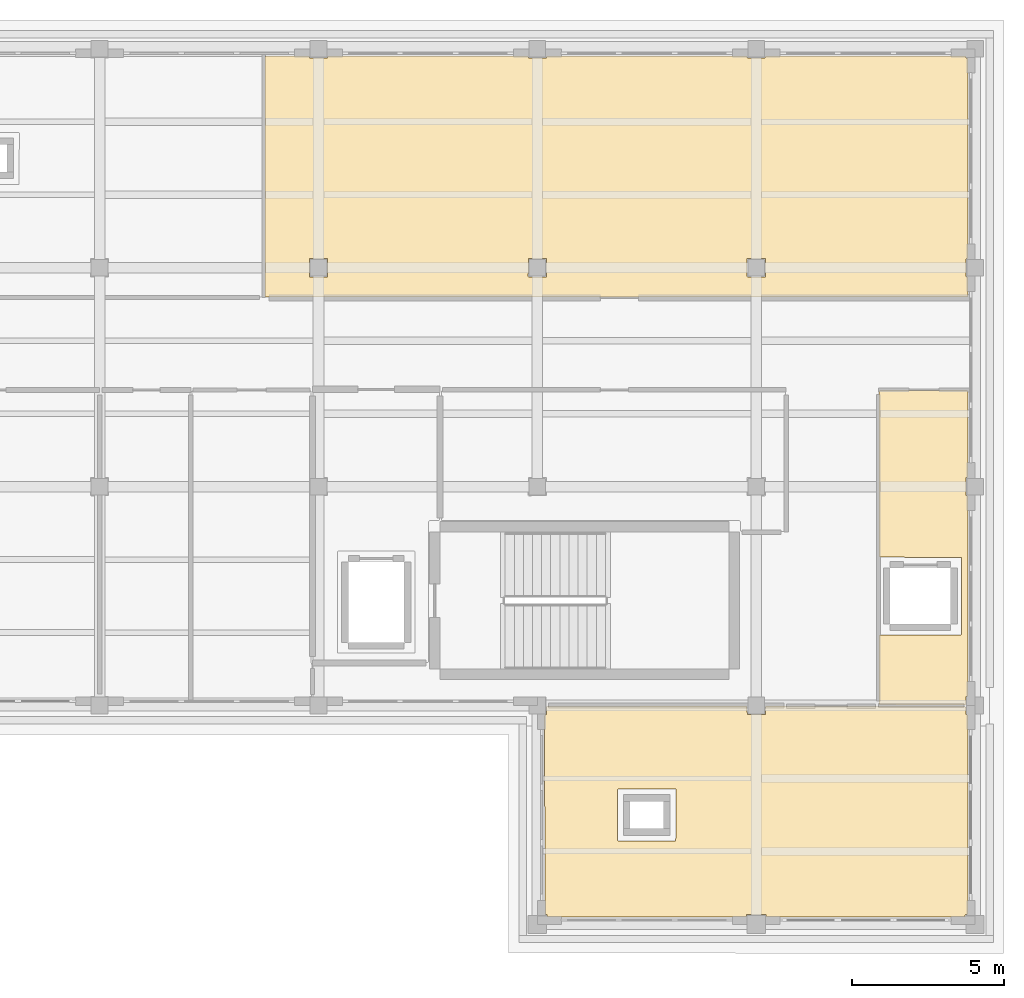
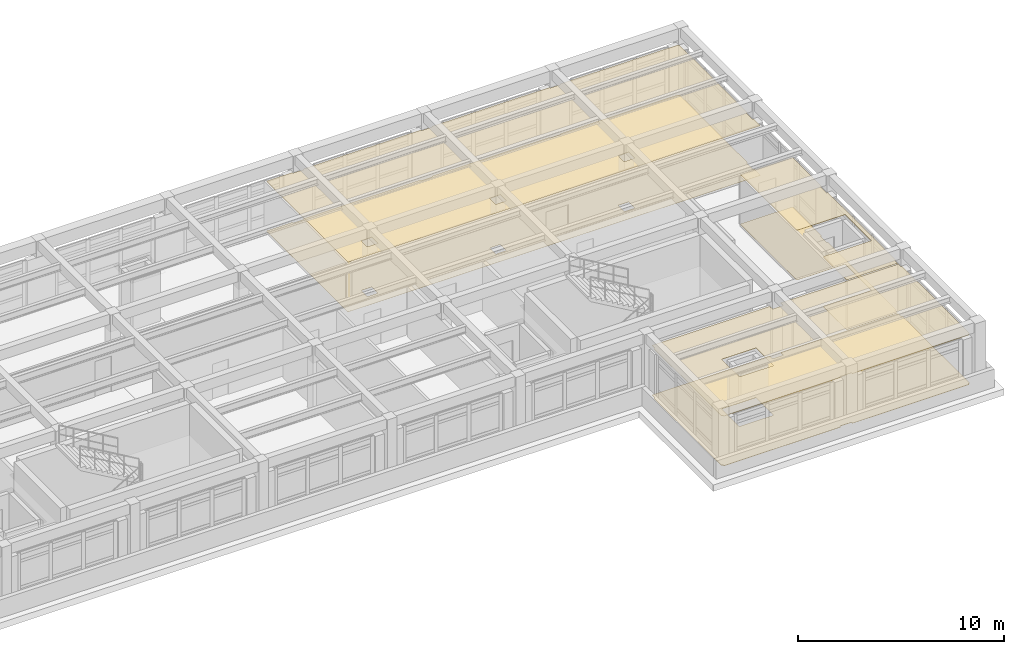
# One storey, part 21 of 21: 6 coverings.
"""IFC4 building model written with IfcOpenShell, lengths in metres."""

import ifcopenshell
import ifcopenshell.guid

model = None  # the IFC model being written
_history = None  # IfcOwnerHistory: only IFC2X3 demands one
_inside = {}  # id of a spatial element -> (the spatial element, [elements in it])
_under = {}  # id of a project, library or spatial element -> (it, [spatial elements below it])
_declared = {}  # id of a project -> (the project, [libraries it declares])
_typed = {}  # id of a type object -> (the type object, [elements of that type])
_made_of = {}  # id of a material, layer set ... -> (it, [elements and type objects made of it])


def new_model(schema):
    """Start an empty IFC model of exactly this schema.

    Asked for "IFC4X3", IfcOpenShell would pick the latest addendum, in which some entities
    have other attributes; the version numbers below select the first issue.
    IFC2X3 requires an IfcOwnerHistory on every rooted entity: one is made here for all.
    """
    global model, _history
    if schema == "IFC4X3":
        model = ifcopenshell.file(schema_version=(4, 3, 0, 0))
    else:
        model = ifcopenshell.file(schema=schema)
    _inside.clear()
    _under.clear()
    _declared.clear()
    _typed.clear()
    _made_of.clear()
    _history = None
    if model.schema == "IFC2X3":
        org = make("IfcOrganization", Name="unknown")
        user = make(
            "IfcPersonAndOrganization",
            ThePerson=make("IfcPerson", FamilyName="unknown"),
            TheOrganization=org,
        )
        app = make(
            "IfcApplication",
            ApplicationDeveloper=org,
            Version="unknown",
            ApplicationFullName="unknown",
            ApplicationIdentifier="unknown",
        )
        _history = make(
            "IfcOwnerHistory",
            OwningUser=user,
            OwningApplication=app,
            ChangeAction="ADDED",
            CreationDate=0,
        )
    return model


def make(cls, **values):
    """One entity of the class cls with the attributes given. An attribute that is None is left unset."""
    return model.create_entity(
        cls, **{name: value for name, value in values.items() if value is not None}
    )


def rooted(cls, **values):
    """An entity with a GlobalId (a new one), such as an element, a storey or a relation."""
    return make(cls, GlobalId=ifcopenshell.guid.new(), OwnerHistory=_history, **values)


def si_unit(unit_type, name, prefix=None):
    """IfcSIUnit, for example si_unit("LENGTHUNIT", "METRE", prefix="MILLI")."""
    return make("IfcSIUnit", UnitType=unit_type, Prefix=prefix, Name=name)


def assignment(units):
    """IfcUnitAssignment: the units of a project."""
    return None if units is None else make("IfcUnitAssignment", Units=units)


def point(xyz):
    """IfcCartesianPoint."""
    return None if xyz is None else make("IfcCartesianPoint", Coordinates=xyz)


def direction(xyz):
    """IfcDirection."""
    return None if xyz is None else make("IfcDirection", DirectionRatios=xyz)


def frame(location, z_axis=None, x_axis=None):
    """IfcAxis2Placement3D, a coordinate frame: its origin and axes. An axis left out is left unset."""
    return make(
        "IfcAxis2Placement3D",
        Location=point(location),
        Axis=direction(z_axis),
        RefDirection=direction(x_axis),
    )


def origin():
    """The frame at (0, 0, 0) with its axes left unset."""
    return frame((0.0, 0.0, 0.0))


def place(relative_to, where):
    """IfcLocalPlacement: puts the frame where relative to a parent placement (None: the world)."""
    return make(
        "IfcLocalPlacement", PlacementRelTo=relative_to, RelativePlacement=where
    )


def context(
    kind, dimensions, precision=None, world=None, true_north=None, identifier=None
):
    """IfcGeometricRepresentationContext, for example the 3D "Model" context."""
    return make(
        "IfcGeometricRepresentationContext",
        ContextIdentifier=identifier,
        ContextType=kind,
        CoordinateSpaceDimension=dimensions,
        Precision=precision,
        WorldCoordinateSystem=world,
        TrueNorth=true_north,
    )


def subcontext(parent, identifier, kind, view, scale=None):
    """IfcGeometricRepresentationSubContext, for example "Body" below "Model"."""
    return make(
        "IfcGeometricRepresentationSubContext",
        ContextIdentifier=identifier,
        ContextType=kind,
        ParentContext=parent,
        TargetScale=scale,
        TargetView=view,
    )


def project(units=None, contexts=None):
    """IfcProject with its units and contexts."""
    return rooted(
        "IfcProject",
        Name="project",
        RepresentationContexts=contexts,
        UnitsInContext=assignment(units),
    )


def spatial(cls, under=None, at=None, **own):
    """A site, building, storey or space (cls), placed at a placement, below another one or the project."""
    s = rooted(cls, ObjectPlacement=at, **own)
    if under is not None:
        _under.setdefault(under.id(), (under, []))[1].append(s)
    return s


def polyline(points):
    """IfcPolyline through the points."""
    return make("IfcPolyline", Points=[point(p) for p in points])


def outline(outer, holes=None, kind="AREA"):
    """IfcArbitraryClosedProfileDef: a profile drawn as a closed curve; with holes, ...WithVoids."""
    if holes is None:
        return make("IfcArbitraryClosedProfileDef", ProfileType=kind, OuterCurve=outer)
    return make(
        "IfcArbitraryProfileDefWithVoids",
        ProfileType=kind,
        OuterCurve=outer,
        InnerCurves=holes,
    )


def extrude(swept, where, along, depth):
    """IfcExtrudedAreaSolid: the profile swept, set in the frame where, extruded along a direction by depth."""
    return make(
        "IfcExtrudedAreaSolid",
        SweptArea=swept,
        Position=where,
        ExtrudedDirection=direction(along),
        Depth=depth,
    )


def shape(context_of_items, identifier, shape_type, items):
    """IfcShapeRepresentation: the items that make up one representation, for example the "Body"."""
    return make(
        "IfcShapeRepresentation",
        ContextOfItems=context_of_items,
        RepresentationIdentifier=identifier,
        RepresentationType=shape_type,
        Items=items,
    )


def material(Name=None, Category=None):
    """IfcMaterial."""
    return make("IfcMaterial", Name=Name, Category=Category)


def layer(
    of_material, thickness, ventilated=None, Name=None, Category=None, Priority=None
):
    """IfcMaterialLayer: one layer of a wall or slab, of a material (None: an air gap)."""
    return make(
        "IfcMaterialLayer",
        Material=of_material,
        LayerThickness=thickness,
        IsVentilated=ventilated,
        Name=Name,
        Category=Category,
        Priority=Priority,
    )


def layer_set(layers, Name=None):
    """IfcMaterialLayerSet."""
    return make("IfcMaterialLayerSet", MaterialLayers=layers, LayerSetName=Name)


def made_of(thing, what):
    """Note that an element or type object is made of a material, layer set ...; save() writes the relation."""
    if what is not None:
        _made_of.setdefault(what.id(), (what, []))[1].append(thing)
    return thing


def type_object(cls, material=None, **own):
    """A type object (cls), such as IfcWallType, which elements share."""
    return made_of(rooted(cls, **own), material)


def element(
    cls,
    number,
    at=None,
    inside=None,
    cuts=None,
    type_object=None,
    material=None,
    context=None,
    identifier="Body",
    shape_type=None,
    held_by="IfcProductDefinitionShape",
    body=None,
    shapes=None,
    **own,
):
    """One element of the class cls, such as IfcWall. Its Tag is "e" and its number.

    at: its placement. inside: the storey or other place that contains it. cuts: it is an
    opening in that element (IfcRelVoidsElement). A single representation is given by context,
    identifier, shape_type and body (its items); several are given by shapes. held_by: the class
    of the entity that holds the representations. save() writes the other relations.
    """
    e = rooted(cls, Tag="e%d" % number, ObjectPlacement=at, **own)
    if body is not None:
        shapes = [shape(context, identifier, shape_type, body)]
    if shapes is not None:
        e.Representation = make(held_by, Representations=shapes)
    if inside is not None:
        _inside.setdefault(inside.id(), (inside, []))[1].append(e)
    if cuts is not None:
        rooted(
            "IfcRelVoidsElement", RelatingBuildingElement=cuts, RelatedOpeningElement=e
        )
    if type_object is not None:
        _typed.setdefault(type_object.id(), (type_object, []))[1].append(e)
    return made_of(e, material)


def aggregate(whole, parts):
    """IfcRelAggregates: a whole, such as a stair, and the parts it consists of."""
    return rooted("IfcRelAggregates", RelatingObject=whole, RelatedObjects=parts)


def save(model, path):
    """Write the relations noted so far, then the file.

    IfcRelAggregates (storeys below a building ...), IfcRelContainedInSpatialStructure (elements
    in a storey), IfcRelDefinesByType, IfcRelAssociatesMaterial and IfcRelDeclares: one each for
    every whole, place, type object, material and project.
    """
    for whole, parts in _under.values():
        aggregate(whole, parts)
    for where, things in _inside.values():
        rooted(
            "IfcRelContainedInSpatialStructure",
            RelatedElements=things,
            RelatingStructure=where,
        )
    for kind, things in _typed.values():
        rooted("IfcRelDefinesByType", RelatedObjects=things, RelatingType=kind)
    for what, things in _made_of.values():
        rooted("IfcRelAssociatesMaterial", RelatedObjects=things, RelatingMaterial=what)
    for by, libraries in _declared.values():
        rooted("IfcRelDeclares", RelatingContext=by, RelatedDefinitions=libraries)
    model.write(path)


model = new_model("IFC4")

# Units and contexts
model_context = context("Model", 3, precision=1e-05, world=origin(), true_north=direction((0.0, 1.0)))
body_context = subcontext(model_context, "Body", "Model", "MODEL_VIEW")
ifc_project = project(units=[si_unit("LENGTHUNIT", "METRE"), si_unit("AREAUNIT", "SQUARE_METRE"), si_unit("VOLUMEUNIT", "CUBIC_METRE"), si_unit("PLANEANGLEUNIT", "RADIAN"), si_unit("MASSUNIT", "GRAM", prefix="KILO")], contexts=[model_context])

# Site, building, storey
site_placement = place(None, origin())
site = spatial("IfcSite", under=ifc_project, at=site_placement, CompositionType="ELEMENT")
building_placement = place(site_placement, origin())
building = spatial("IfcBuilding", under=site, at=building_placement, Name="Solenvale Faculty of Natural Sciences", CompositionType="ELEMENT")
storey_placement = place(building_placement, frame((0.0, 0.0, 31.199951171875)))
storey = spatial("IfcBuildingStorey", under=building, at=storey_placement, Name="L07", CompositionType="ELEMENT", Elevation=31.199951171875)

# Coverings
ifc_material_1 = material(Name="Acoustic mineral-timber ceiling", Category="wood")
ifc_layer_1 = layer(ifc_material_1, 0.02490234375)
ifc_layer_set_1 = layer_set([ifc_layer_1], Name="Acoustic mineral-timber ceiling")
covering_type_1 = type_object("IfcCoveringType", Name="COV-CEIL-AC25", PredefinedType="CEILING", material=ifc_layer_set_1)
covering_1_placement = place(storey_placement, frame((0.0, 0.0, 2.93505859375)))
element("IfcCovering", 1, at=covering_1_placement, inside=storey, type_object=covering_type_1, Name="L07 Preparative Organic Chemistry Laboratory Acoustic Ceiling", PredefinedType="CEILING", context=body_context, shape_type="SweptSolid", body=[
    extrude(outline(polyline([(129.27001953125, 114.9599609375), (129.294921875, 114.947021484375), (129.31103515625, 114.89990234375), (129.89111328125, 114.89990234375), (129.905029296875, 114.947021484375), (129.929931640625, 114.9599609375), (136.469970703125, 114.9599609375), (136.4951171875, 114.947021484375), (136.510986328125, 114.89990234375), (137.091064453125, 114.89990234375), (137.10498046875, 114.947021484375), (137.1298828125, 114.9599609375), (143.669921875, 114.9599609375), (143.695068359375, 114.947021484375), (143.7109375, 114.89990234375), (144.291015625, 114.89990234375), (144.304931640625, 114.947021484375), (144.330078125, 114.9599609375), (150.881103515625, 114.9580078125), (150.89794921875, 114.94091796875), (150.902099609375, 114.904052734375), (150.944091796875, 114.89599609375), (150.9599609375, 114.8701171875), (150.9599609375, 108.330078125), (150.947021484375, 108.304931640625), (150.89990234375, 108.2890625), (150.89990234375, 107.708984375), (150.947021484375, 107.695068359375), (150.9599609375, 107.669921875), (150.9580078125, 107.05908203125), (150.929931640625, 107.0400390625), (127.85888671875, 107.0419921875), (127.840087890625, 107.070068359375), (127.841064453125, 114.93603515625), (127.8701171875, 114.9599609375), (129.27001953125, 114.9599609375)]), holes=[polyline([(143.699951171875, 107.7109375), (143.7109375, 107.699951171875), (144.297119140625, 107.702880859375), (144.297119140625, 108.297119140625), (143.702880859375, 108.297119140625), (143.699951171875, 107.7109375)]), polyline([(136.5, 107.7109375), (136.510986328125, 107.699951171875), (137.096923828125, 107.702880859375), (137.096923828125, 108.297119140625), (136.5029296875, 108.297119140625), (136.5, 107.7109375)]), polyline([(129.300048828125, 107.7109375), (129.31103515625, 107.699951171875), (129.89697265625, 107.702880859375), (129.89697265625, 108.297119140625), (129.302978515625, 108.297119140625), (129.300048828125, 107.7109375)])]), origin(), (0.0, 0.0, 1.0), 0.02490234375),
])
covering_2_placement = place(storey_placement, frame((0.0, 0.0, 2.93505859375)))
element("IfcCovering", 2, at=covering_2_placement, inside=storey, type_object=covering_type_1, Name="L07 Elevator Lobby Acoustic Ceiling", PredefinedType="CEILING", context=body_context, shape_type="SweptSolid", body=[
    extrude(outline(polyline([(148.0400390625, 95.889892578125), (148.049072265625, 95.910888671875), (148.070068359375, 95.919921875), (150.72509765625, 95.919921875), (150.7470703125, 95.929931640625), (150.7548828125, 95.949951171875), (150.7548828125, 98.449951171875), (150.7451171875, 98.471923828125), (148.070068359375, 98.47998046875), (148.041015625, 98.5009765625), (148.0419921875, 103.94091796875), (148.070068359375, 103.9599609375), (150.94091796875, 103.9580078125), (150.9599609375, 103.929931640625), (150.9599609375, 101.1298828125), (150.947021484375, 101.10498046875), (150.89990234375, 101.091064453125), (150.89990234375, 100.510986328125), (150.947021484375, 100.4951171875), (150.9599609375, 100.469970703125), (150.9599609375, 93.929931640625), (150.947021484375, 93.905029296875), (150.89990234375, 93.89208984375), (150.89306640625, 93.631103515625), (150.8701171875, 93.6201171875), (148.051025390625, 93.626953125), (148.0400390625, 93.64990234375), (148.0400390625, 95.889892578125)])), origin(), (0.0, 0.0, 1.0), 0.02490234375),
])
covering_3_placement = place(storey_placement, frame((0.0, 0.0, 2.93505859375)))
element("IfcCovering", 3, at=covering_3_placement, inside=storey, type_object=covering_type_1, Name="L07 Seminar Room Acoustic Ceiling", PredefinedType="CEILING", context=body_context, shape_type="SweptSolid", body=[
    extrude(outline(polyline([(144.950927734375, 93.580078125), (145.0, 93.56005859375), (150.8701171875, 93.56005859375), (150.89306640625, 93.549072265625), (150.89990234375, 93.30810546875), (150.947021484375, 93.294921875), (150.9599609375, 93.27001953125), (150.9599609375, 86.7548828125), (150.94091796875, 86.72705078125), (150.876953125, 86.720947265625), (150.864013671875, 86.64697265625), (144.35498046875, 86.639892578125), (144.326904296875, 86.658935546875), (144.31591796875, 86.72509765625), (143.68603515625, 86.72509765625), (143.675048828125, 86.717041015625), (143.6708984375, 86.656005859375), (143.64501953125, 86.639892578125), (137.155029296875, 86.639892578125), (137.126953125, 86.658935546875), (137.12109375, 86.722900390625), (137.047119140625, 86.736083984375), (137.0400390625, 93.27001953125), (137.052978515625, 93.294921875), (137.10009765625, 93.30810546875), (137.10009765625, 93.550048828125), (137.111083984375, 93.572998046875), (143.669921875, 93.580078125), (143.699951171875, 93.552978515625), (143.7060546875, 93.301025390625), (144.2890625, 93.300048828125), (144.300048828125, 93.31103515625), (144.300048828125, 93.552978515625), (144.319091796875, 93.577880859375), (144.950927734375, 93.580078125)]), holes=[polyline([(139.468017578125, 90.860107421875), (139.447998046875, 90.85009765625), (139.43994140625, 90.830078125), (139.43994140625, 89.169921875), (139.449951171875, 89.14794921875), (141.330078125, 89.139892578125), (141.35205078125, 89.14990234375), (141.360107421875, 90.830078125), (141.35009765625, 90.85205078125), (139.468017578125, 90.860107421875)])]), origin(), (0.0, 0.0, 1.0), 0.02490234375),
])
ifc_material_2 = material(Name="Polished slate terrazzo flooring", Category="masonry")
ifc_layer_2 = layer(ifc_material_2, 0.01806640625)
ifc_layer_set_2 = layer_set([ifc_layer_2], Name="Polished slate terrazzo flooring")
covering_type_2 = type_object("IfcCoveringType", Name="COV-FLR-TRZ18", PredefinedType="FLOORING", material=ifc_layer_set_2)
covering_4_placement = place(storey_placement, origin())
element("IfcCovering", 4, at=covering_4_placement, inside=storey, type_object=covering_type_2, Name="L07 Elevator Lobby Floor Finish", PredefinedType="FLOORING", context=body_context, shape_type="SweptSolid", body=[
    extrude(outline(polyline([(148.0400390625, 95.889892578125), (148.049072265625, 95.910888671875), (148.070068359375, 95.919921875), (150.72509765625, 95.919921875), (150.7470703125, 95.929931640625), (150.7548828125, 95.949951171875), (150.7548828125, 98.449951171875), (150.7451171875, 98.471923828125), (148.070068359375, 98.47998046875), (148.041015625, 98.5009765625), (148.0419921875, 103.94091796875), (148.070068359375, 103.9599609375), (150.94091796875, 103.9580078125), (150.9599609375, 103.929931640625), (150.9599609375, 101.1298828125), (150.947021484375, 101.10498046875), (150.89990234375, 101.091064453125), (150.89990234375, 100.510986328125), (150.947021484375, 100.4951171875), (150.9599609375, 100.469970703125), (150.9599609375, 93.929931640625), (150.947021484375, 93.905029296875), (150.89990234375, 93.89208984375), (150.89306640625, 93.631103515625), (150.8701171875, 93.6201171875), (148.051025390625, 93.626953125), (148.0400390625, 93.64990234375), (148.0400390625, 95.889892578125)])), origin(), (0.0, 0.0, 1.0), 0.01806640625),
])
covering_5_placement = place(storey_placement, origin())
element("IfcCovering", 5, at=covering_5_placement, inside=storey, type_object=covering_type_2, Name="L07 Seminar Room Floor Finish", PredefinedType="FLOORING", context=body_context, shape_type="SweptSolid", body=[
    extrude(outline(polyline([(144.950927734375, 93.580078125), (145.0, 93.56005859375), (150.8701171875, 93.56005859375), (150.89306640625, 93.549072265625), (150.89990234375, 93.30810546875), (150.947021484375, 93.294921875), (150.9599609375, 93.27001953125), (150.9599609375, 86.7548828125), (150.94091796875, 86.72705078125), (150.876953125, 86.720947265625), (150.864013671875, 86.64697265625), (144.35498046875, 86.639892578125), (144.326904296875, 86.658935546875), (144.31591796875, 86.72509765625), (143.68603515625, 86.72509765625), (143.675048828125, 86.717041015625), (143.6708984375, 86.656005859375), (143.64501953125, 86.639892578125), (137.155029296875, 86.639892578125), (137.126953125, 86.658935546875), (137.12109375, 86.722900390625), (137.047119140625, 86.736083984375), (137.0400390625, 93.27001953125), (137.052978515625, 93.294921875), (137.10009765625, 93.30810546875), (137.10009765625, 93.550048828125), (137.111083984375, 93.572998046875), (143.669921875, 93.580078125), (143.699951171875, 93.552978515625), (143.7060546875, 93.301025390625), (144.2890625, 93.300048828125), (144.300048828125, 93.31103515625), (144.300048828125, 93.552978515625), (144.319091796875, 93.577880859375), (144.950927734375, 93.580078125)]), holes=[polyline([(139.468017578125, 90.860107421875), (139.447998046875, 90.85009765625), (139.43994140625, 90.830078125), (139.43994140625, 89.169921875), (139.449951171875, 89.14794921875), (141.330078125, 89.139892578125), (141.35205078125, 89.14990234375), (141.360107421875, 90.830078125), (141.35009765625, 90.85205078125), (139.468017578125, 90.860107421875)])]), origin(), (0.0, 0.0, 1.0), 0.01806640625),
])
ifc_material_3 = material(Name="Seamless laboratory vinyl flooring")
ifc_layer_3 = layer(ifc_material_3, 0.008056640625)
ifc_layer_set_3 = layer_set([ifc_layer_3], Name="Seamless laboratory vinyl flooring")
covering_type_3 = type_object("IfcCoveringType", Name="COV-FLR-VNL08", PredefinedType="FLOORING", material=ifc_layer_set_3)
covering_6_placement = place(storey_placement, origin())
element("IfcCovering", 6, at=covering_6_placement, inside=storey, type_object=covering_type_3, Name="L07 Preparative Organic Chemistry Laboratory Floor Finish", PredefinedType="FLOORING", context=body_context, shape_type="SweptSolid", body=[
    extrude(outline(polyline([(129.27001953125, 114.9599609375), (129.294921875, 114.947021484375), (129.31103515625, 114.89990234375), (129.89111328125, 114.89990234375), (129.905029296875, 114.947021484375), (129.929931640625, 114.9599609375), (136.469970703125, 114.9599609375), (136.4951171875, 114.947021484375), (136.510986328125, 114.89990234375), (137.091064453125, 114.89990234375), (137.10498046875, 114.947021484375), (137.1298828125, 114.9599609375), (143.669921875, 114.9599609375), (143.695068359375, 114.947021484375), (143.7109375, 114.89990234375), (144.291015625, 114.89990234375), (144.304931640625, 114.947021484375), (144.330078125, 114.9599609375), (150.881103515625, 114.9580078125), (150.89794921875, 114.94091796875), (150.902099609375, 114.904052734375), (150.944091796875, 114.89599609375), (150.9599609375, 114.8701171875), (150.9599609375, 108.330078125), (150.947021484375, 108.304931640625), (150.89990234375, 108.2890625), (150.89990234375, 107.708984375), (150.947021484375, 107.695068359375), (150.9599609375, 107.669921875), (150.9580078125, 107.05908203125), (150.929931640625, 107.0400390625), (127.85888671875, 107.0419921875), (127.840087890625, 107.070068359375), (127.841064453125, 114.93603515625), (127.8701171875, 114.9599609375), (129.27001953125, 114.9599609375)]), holes=[polyline([(143.699951171875, 107.7109375), (143.7109375, 107.699951171875), (144.297119140625, 107.702880859375), (144.297119140625, 108.297119140625), (143.702880859375, 108.297119140625), (143.699951171875, 107.7109375)]), polyline([(136.5, 107.7109375), (136.510986328125, 107.699951171875), (137.096923828125, 107.702880859375), (137.096923828125, 108.297119140625), (136.5029296875, 108.297119140625), (136.5, 107.7109375)]), polyline([(129.300048828125, 107.7109375), (129.31103515625, 107.699951171875), (129.89697265625, 107.702880859375), (129.89697265625, 108.297119140625), (129.302978515625, 108.297119140625), (129.300048828125, 107.7109375)])]), origin(), (0.0, 0.0, 1.0), 0.008056640625),
])

save(model, "model.ifc")
